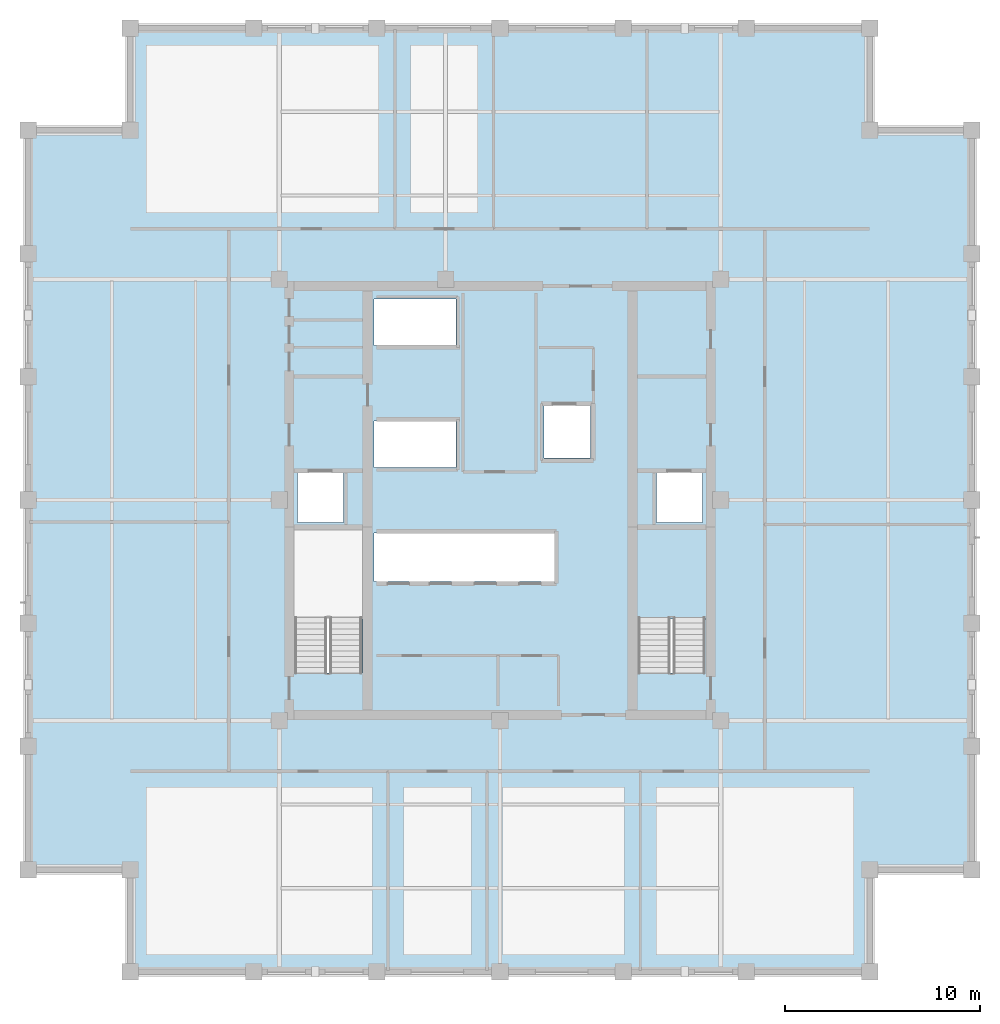
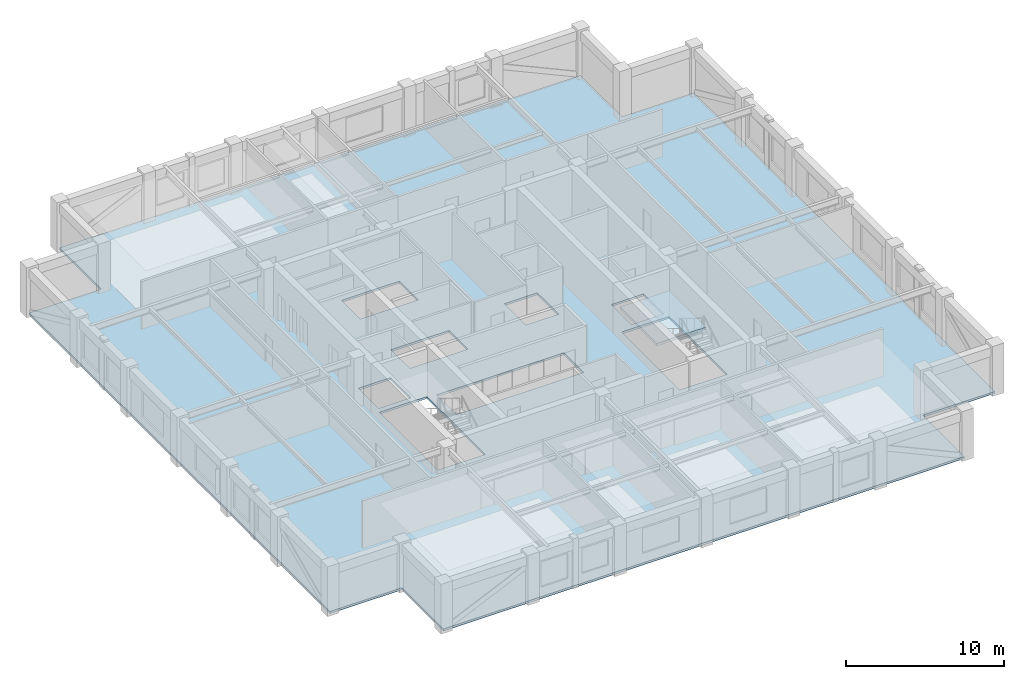
# One storey, part 3 of 11: 2 slabs, 1 element without a shape of its own.
"""IFC4 building model written with IfcOpenShell, lengths in metres."""

from ifc_helpers import new_model, si_unit, direction, frame, origin, place, context, subcontext, project, spatial, polyline, outline, extrude, material, layer, layer_set, type_object, element, aggregate, save


model = new_model("IFC4")

# Units and contexts
model_context = context("Model", 3, precision=1e-05, world=origin(), true_north=direction((0.0, 1.0)))
body_context = subcontext(model_context, "Body", "Model", "MODEL_VIEW")
ifc_project = project(units=[si_unit("LENGTHUNIT", "METRE"), si_unit("AREAUNIT", "SQUARE_METRE"), si_unit("VOLUMEUNIT", "CUBIC_METRE"), si_unit("PLANEANGLEUNIT", "RADIAN"), si_unit("MASSUNIT", "GRAM", prefix="KILO")], contexts=[model_context])

# Site, building, storey
site_placement = place(None, origin())
site = spatial("IfcSite", under=ifc_project, at=site_placement, CompositionType="ELEMENT")
building_placement = place(site_placement, origin())
building = spatial("IfcBuilding", under=site, at=building_placement, Name="Nhamokura Convention Tower", CompositionType="ELEMENT")
storey_placement = place(building_placement, frame((0.0, 0.0, 198.449951171875)))
storey = spatial("IfcBuildingStorey", under=building, at=storey_placement, Name="L48", CompositionType="ELEMENT", Elevation=198.449951171875)

# Slab
ifc_material_1 = material(Name="Concrete C40/50", Category="concrete")
ifc_layer_1 = layer(ifc_material_1, 0.1650390625)
ifc_layer_set_1 = layer_set([ifc_layer_1], Name="OfficeFloorSlab_165")
slab_type_1 = type_object("IfcSlabType", Name="OfficeFloorSlab_165", PredefinedType="FLOOR", material=ifc_layer_set_1)
slab_1_placement = place(storey_placement, frame((0.0, 0.0, -0.1650390625)))
element("IfcSlab", 1, at=slab_1_placement, inside=storey, type_object=slab_type_1, Name="L48 Structural Floor Slab", PredefinedType="FLOOR", context=body_context, shape_type="SweptSolid", body=[
    extrude(outline(polyline([(13.0, 7.75), (51.0, 7.75), (51.0, 13.0), (56.25, 13.0), (56.25, 51.0), (51.0, 51.0), (51.0, 56.25), (13.0, 56.25), (13.0, 51.0), (7.75, 51.0), (7.75, 13.0), (13.0, 13.0), (13.0, 7.75)]), holes=[polyline([(24.89990234375, 23.10009765625), (24.89990234375, 30.449951171875), (21.449951171875, 30.449951171875), (21.449951171875, 23.10009765625), (24.89990234375, 23.10009765625)]), polyline([(42.550048828125, 23.10009765625), (42.550048828125, 30.449951171875), (39.10009765625, 30.449951171875), (39.10009765625, 23.10009765625), (42.550048828125, 23.10009765625)]), polyline([(21.60009765625, 30.85009765625), (23.949951171875, 30.85009765625), (23.949951171875, 33.39990234375), (21.60009765625, 33.39990234375), (21.60009765625, 30.85009765625)]), polyline([(40.050048828125, 30.85009765625), (42.39990234375, 30.85009765625), (42.39990234375, 33.39990234375), (40.050048828125, 33.39990234375), (40.050048828125, 30.85009765625)]), polyline([(34.25, 34.14990234375), (36.64990234375, 34.14990234375), (36.64990234375, 36.85009765625), (34.25, 36.85009765625), (34.25, 34.14990234375)]), polyline([(25.52001953125, 27.800048828125), (34.800048828125, 27.800048828125), (34.800048828125, 30.300048828125), (25.52001953125, 30.300048828125), (25.52001953125, 27.800048828125)]), polyline([(25.52001953125, 33.679931640625), (29.75, 33.679931640625), (29.75, 36.050048828125), (25.52001953125, 36.050048828125), (25.52001953125, 33.679931640625)]), polyline([(25.52001953125, 39.949951171875), (29.75, 39.949951171875), (29.75, 42.320068359375), (25.52001953125, 42.320068359375), (25.52001953125, 39.949951171875)])]), origin(), (0.0, 0.0, 1.0), 0.1650390625),
])

# Stair, slab
ifc_material_2 = material(Name="Concrete C40/50", Category="concrete")
stair_type = type_object("IfcStairType", Name="TowerCoreStair_1650", PredefinedType="HALF_TURN_STAIR", material=ifc_material_2)
stair_placement = place(storey_placement, origin())
stair = element("IfcStair", 2, at=stair_placement, inside=storey, type_object=stair_type, Name="L48 East Core Smokeproof Stair ST-02", PredefinedType="HALF_TURN_STAIR")
ifc_material_3 = material(Name="Concrete C40/50", Category="concrete")
ifc_layer_2 = layer(ifc_material_3, 0.199951171875)
ifc_layer_set_2 = layer_set([ifc_layer_2], Name="StairLandingSlab_200")
slab_type_2 = type_object("IfcSlabType", Name="StairLandingSlab_200", PredefinedType="LANDING", material=ifc_layer_set_2)
slab_2_placement = place(storey_placement, frame((0.0, 0.0, 1.72509765625)))
slab_2 = element("IfcSlab", 3, at=slab_2_placement, type_object=slab_type_2, Name="ST-02 landing 1", PredefinedType="LANDING", context=body_context, shape_type="SweptSolid", body=[
    extrude(outline(polyline([(42.6298828125, 25.8701171875), (42.6298828125, 30.530029296875), (39.02001953125, 30.530029296875), (39.02001953125, 25.8701171875), (42.6298828125, 25.8701171875)])), origin(), (0.0, 0.0, 1.0), 0.199951171875),
])
aggregate(stair, [slab_2])

save(model, "model.ifc")
